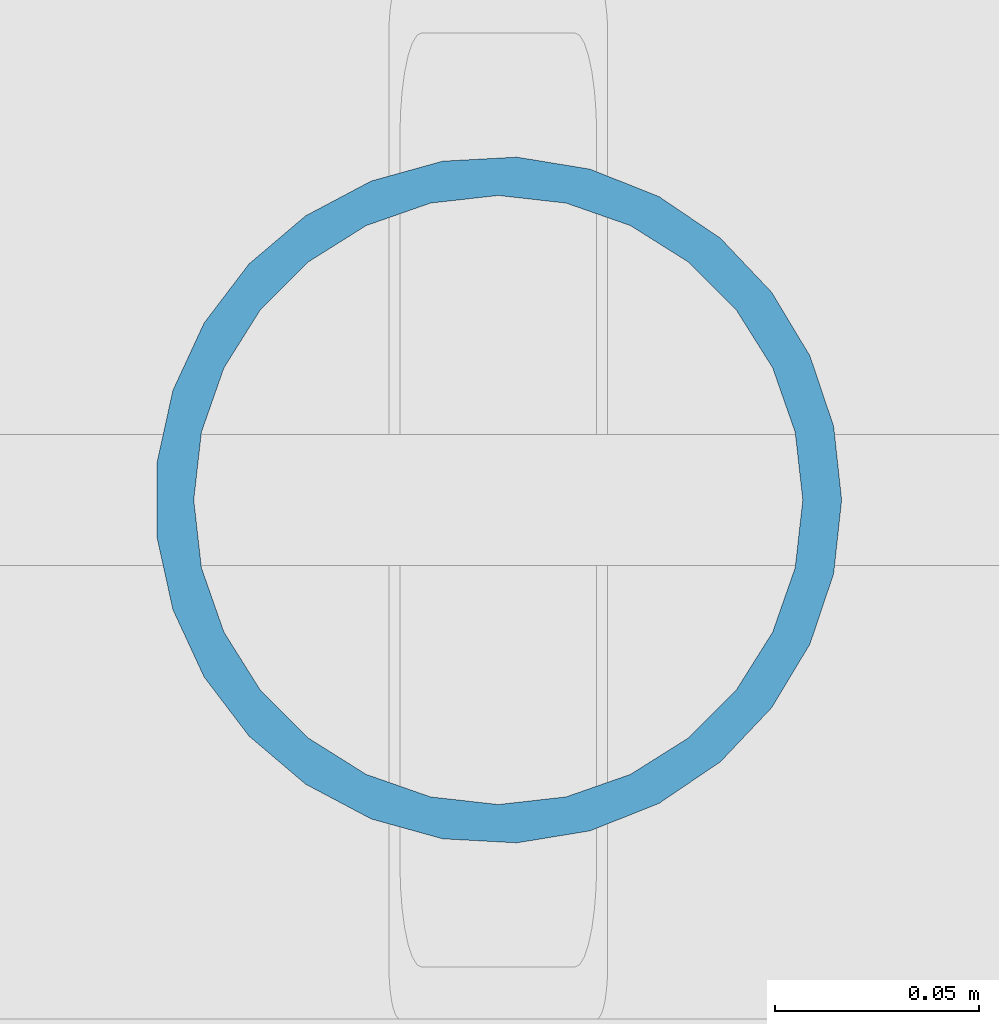
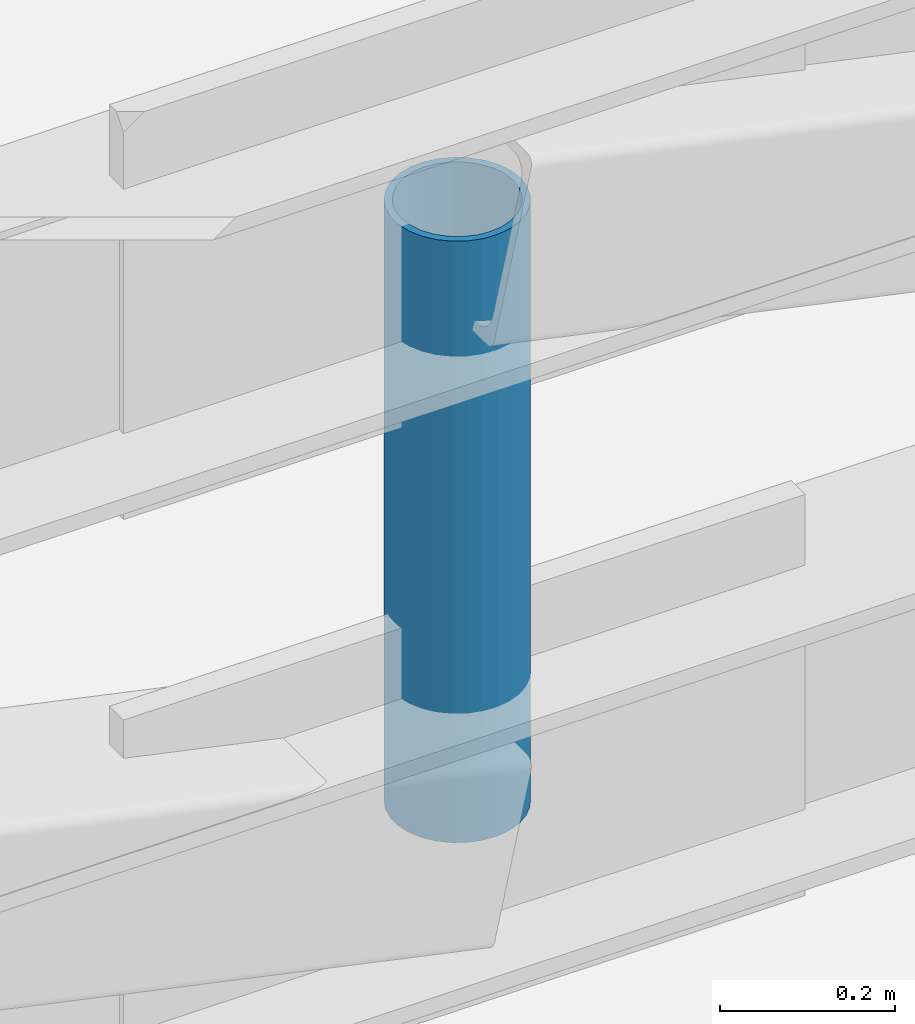
# One storey, part 60 of 86: 1 member.
"""IFC4 building model written with IfcOpenShell, lengths in metres."""

from ifc_helpers import new_model, si_unit, direction, frame, origin_with_axes, origin_2d_with_axis, place, context, subcontext, project, spatial, hollow_circle, extrude, material, material_profile, profile_set, type_object, element, save


model = new_model("IFC4")

# Units and contexts
model_context = context("Model", 3, precision=1e-05, world=origin_with_axes(), true_north=direction((0.0, 1.0)))
body_context = subcontext(model_context, "Body", "Model", "MODEL_VIEW")
ifc_project = project(units=[si_unit("LENGTHUNIT", "METRE"), si_unit("AREAUNIT", "SQUARE_METRE"), si_unit("VOLUMEUNIT", "CUBIC_METRE"), si_unit("PLANEANGLEUNIT", "RADIAN"), si_unit("MASSUNIT", "GRAM", prefix="KILO"), si_unit("THERMODYNAMICTEMPERATUREUNIT", "KELVIN")], contexts=[model_context])

# Site, building, storey
site_placement = place(None, origin_with_axes())
site = spatial("IfcSite", under=ifc_project, at=site_placement, CompositionType="ELEMENT")
building_placement = place(site_placement, origin_with_axes())
building = spatial("IfcBuilding", under=site, at=building_placement, Name="Montbau Bow Law Courts", CompositionType="ELEMENT")
storey_placement = place(building_placement, frame((0.0, 0.0, 29.7), z_axis=(0.0, 0.0, 1.0), x_axis=(1.0, 0.0, 0.0)))
storey = spatial("IfcBuildingStorey", under=building, at=storey_placement, Name="L06", CompositionType="ELEMENT", Elevation=29.7)

# Member
ifc_material = material(Name="Steel CSA G40.21 Grade 350W (350 MPa)", Category="steel")
ifc_material_profile = material_profile(ifc_material, hollow_circle(Radius=0.084, WallThickness=0.0095, at=origin_2d_with_axis()), Name="HSS168X9.5", Category="Main", Priority=0)
ifc_profile_set = profile_set([ifc_material_profile], Name="Steel CSA G40.21 Grade 350W (350 MPa)")
member_type = type_object("IfcMemberType", Name="M-STR-01", PredefinedType="STRUT", material=ifc_profile_set)
member_placement = place(None, frame((101.1, 54.6, 32.16), z_axis=(0.0, 0.0, 1.0), x_axis=(1.0, 0.0, 0.0)))
element("IfcMember", 1, at=member_placement, inside=storey, type_object=member_type, Name="STR-L06-08:mbr_0032", PredefinedType="STRUT", context=body_context, shape_type="SweptSolid", body=[
    extrude(hollow_circle(Radius=0.084, WallThickness=0.0095, at=origin_2d_with_axis()), origin_with_axes(), (0.0, 0.0, 1.0), 0.84),
])

save(model, "model.ifc")
